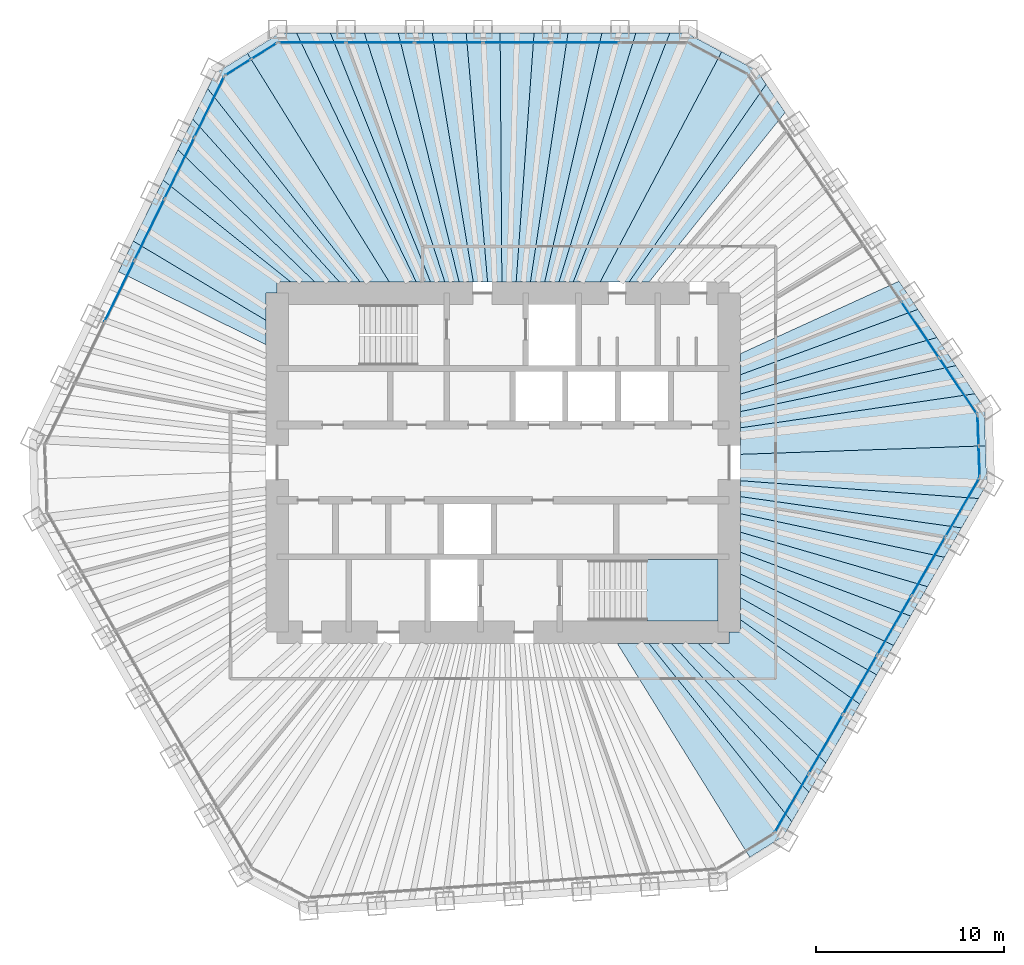
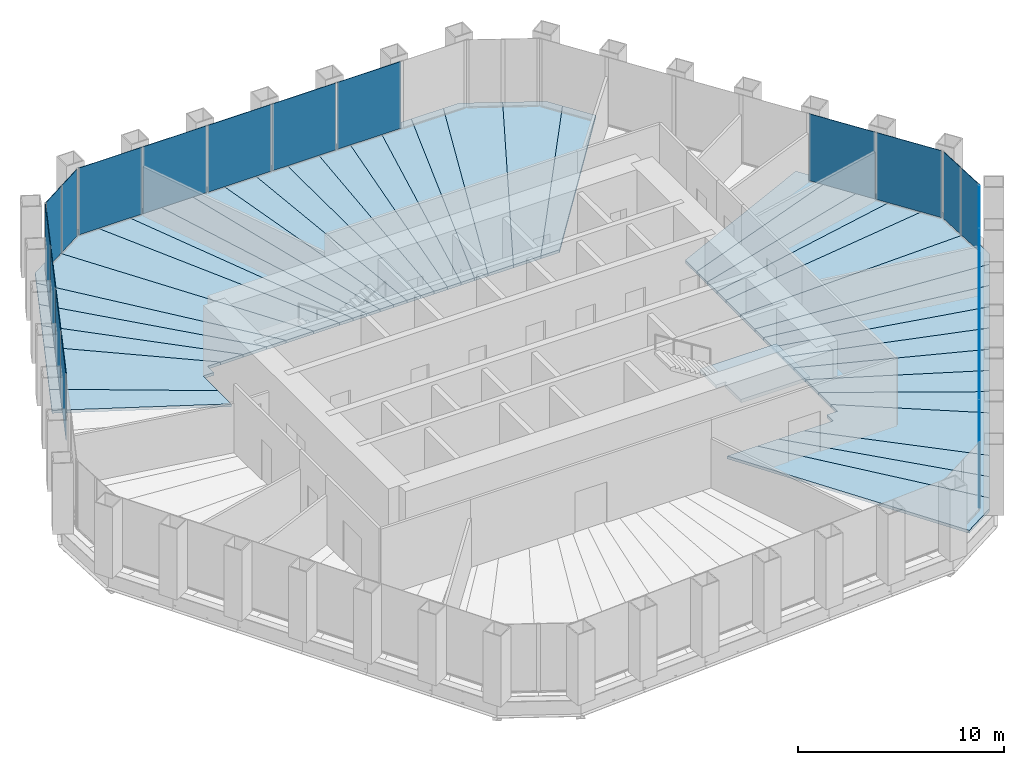
# One storey, part 9 of 13: 39 slabs, 21 plates, 7 elements without a shape of their own.
"""IFC4 building model written with IfcOpenShell, lengths in metres."""

import ifcopenshell
import ifcopenshell.guid

model = None  # the IFC model being written
_history = None  # IfcOwnerHistory: only IFC2X3 demands one
_inside = {}  # id of a spatial element -> (the spatial element, [elements in it])
_under = {}  # id of a project, library or spatial element -> (it, [spatial elements below it])
_declared = {}  # id of a project -> (the project, [libraries it declares])
_typed = {}  # id of a type object -> (the type object, [elements of that type])
_made_of = {}  # id of a material, layer set ... -> (it, [elements and type objects made of it])


def new_model(schema):
    """Start an empty IFC model of exactly this schema.

    Asked for "IFC4X3", IfcOpenShell would pick the latest addendum, in which some entities
    have other attributes; the version numbers below select the first issue.
    IFC2X3 requires an IfcOwnerHistory on every rooted entity: one is made here for all.
    """
    global model, _history
    if schema == "IFC4X3":
        model = ifcopenshell.file(schema_version=(4, 3, 0, 0))
    else:
        model = ifcopenshell.file(schema=schema)
    _inside.clear()
    _under.clear()
    _declared.clear()
    _typed.clear()
    _made_of.clear()
    _history = None
    if model.schema == "IFC2X3":
        org = make("IfcOrganization", Name="unknown")
        user = make(
            "IfcPersonAndOrganization",
            ThePerson=make("IfcPerson", FamilyName="unknown"),
            TheOrganization=org,
        )
        app = make(
            "IfcApplication",
            ApplicationDeveloper=org,
            Version="unknown",
            ApplicationFullName="unknown",
            ApplicationIdentifier="unknown",
        )
        _history = make(
            "IfcOwnerHistory",
            OwningUser=user,
            OwningApplication=app,
            ChangeAction="ADDED",
            CreationDate=0,
        )
    return model


def make(cls, **values):
    """One entity of the class cls with the attributes given. An attribute that is None is left unset."""
    return model.create_entity(
        cls, **{name: value for name, value in values.items() if value is not None}
    )


def rooted(cls, **values):
    """An entity with a GlobalId (a new one), such as an element, a storey or a relation."""
    return make(cls, GlobalId=ifcopenshell.guid.new(), OwnerHistory=_history, **values)


def si_unit(unit_type, name, prefix=None):
    """IfcSIUnit, for example si_unit("LENGTHUNIT", "METRE", prefix="MILLI")."""
    return make("IfcSIUnit", UnitType=unit_type, Prefix=prefix, Name=name)


def assignment(units):
    """IfcUnitAssignment: the units of a project."""
    return None if units is None else make("IfcUnitAssignment", Units=units)


def point(xyz):
    """IfcCartesianPoint."""
    return None if xyz is None else make("IfcCartesianPoint", Coordinates=xyz)


def direction(xyz):
    """IfcDirection."""
    return None if xyz is None else make("IfcDirection", DirectionRatios=xyz)


def frame(location, z_axis=None, x_axis=None):
    """IfcAxis2Placement3D, a coordinate frame: its origin and axes. An axis left out is left unset."""
    return make(
        "IfcAxis2Placement3D",
        Location=point(location),
        Axis=direction(z_axis),
        RefDirection=direction(x_axis),
    )


def frame_2d(location, x_axis=None):
    """IfcAxis2Placement2D, a coordinate frame in the plane: its origin and x axis."""
    return make(
        "IfcAxis2Placement2D", Location=point(location), RefDirection=direction(x_axis)
    )


def origin():
    """The frame at (0, 0, 0) with its axes left unset."""
    return frame((0.0, 0.0, 0.0))


def origin_2d():
    """The frame at (0, 0) in the plane with its x axis left unset."""
    return frame_2d((0.0, 0.0))


def place(relative_to, where):
    """IfcLocalPlacement: puts the frame where relative to a parent placement (None: the world)."""
    return make(
        "IfcLocalPlacement", PlacementRelTo=relative_to, RelativePlacement=where
    )


def context(
    kind, dimensions, precision=None, world=None, true_north=None, identifier=None
):
    """IfcGeometricRepresentationContext, for example the 3D "Model" context."""
    return make(
        "IfcGeometricRepresentationContext",
        ContextIdentifier=identifier,
        ContextType=kind,
        CoordinateSpaceDimension=dimensions,
        Precision=precision,
        WorldCoordinateSystem=world,
        TrueNorth=true_north,
    )


def subcontext(parent, identifier, kind, view, scale=None):
    """IfcGeometricRepresentationSubContext, for example "Body" below "Model"."""
    return make(
        "IfcGeometricRepresentationSubContext",
        ContextIdentifier=identifier,
        ContextType=kind,
        ParentContext=parent,
        TargetScale=scale,
        TargetView=view,
    )


def project(units=None, contexts=None):
    """IfcProject with its units and contexts."""
    return rooted(
        "IfcProject",
        Name="project",
        RepresentationContexts=contexts,
        UnitsInContext=assignment(units),
    )


def spatial(cls, under=None, at=None, **own):
    """A site, building, storey or space (cls), placed at a placement, below another one or the project."""
    s = rooted(cls, ObjectPlacement=at, **own)
    if under is not None:
        _under.setdefault(under.id(), (under, []))[1].append(s)
    return s


def polyline(points):
    """IfcPolyline through the points."""
    return make("IfcPolyline", Points=[point(p) for p in points])


def profile(cls, at=None, kind="AREA", **sizes):
    """A parametric profile (cls). Its sizes go by their IFC names, for example OverallWidth=200.0."""
    return make(cls, ProfileType=kind, Position=at, **sizes)


def rectangle(**sizes):
    """IfcRectangleProfileDef."""
    return profile("IfcRectangleProfileDef", **sizes)


def outline(outer, holes=None, kind="AREA"):
    """IfcArbitraryClosedProfileDef: a profile drawn as a closed curve; with holes, ...WithVoids."""
    if holes is None:
        return make("IfcArbitraryClosedProfileDef", ProfileType=kind, OuterCurve=outer)
    return make(
        "IfcArbitraryProfileDefWithVoids",
        ProfileType=kind,
        OuterCurve=outer,
        InnerCurves=holes,
    )


def extrude(swept, where, along, depth):
    """IfcExtrudedAreaSolid: the profile swept, set in the frame where, extruded along a direction by depth."""
    return make(
        "IfcExtrudedAreaSolid",
        SweptArea=swept,
        Position=where,
        ExtrudedDirection=direction(along),
        Depth=depth,
    )


def shape(context_of_items, identifier, shape_type, items):
    """IfcShapeRepresentation: the items that make up one representation, for example the "Body"."""
    return make(
        "IfcShapeRepresentation",
        ContextOfItems=context_of_items,
        RepresentationIdentifier=identifier,
        RepresentationType=shape_type,
        Items=items,
    )


def material(Name=None, Category=None):
    """IfcMaterial."""
    return make("IfcMaterial", Name=Name, Category=Category)


def layer(
    of_material, thickness, ventilated=None, Name=None, Category=None, Priority=None
):
    """IfcMaterialLayer: one layer of a wall or slab, of a material (None: an air gap)."""
    return make(
        "IfcMaterialLayer",
        Material=of_material,
        LayerThickness=thickness,
        IsVentilated=ventilated,
        Name=Name,
        Category=Category,
        Priority=Priority,
    )


def layer_set(layers, Name=None):
    """IfcMaterialLayerSet."""
    return make("IfcMaterialLayerSet", MaterialLayers=layers, LayerSetName=Name)


def made_of(thing, what):
    """Note that an element or type object is made of a material, layer set ...; save() writes the relation."""
    if what is not None:
        _made_of.setdefault(what.id(), (what, []))[1].append(thing)
    return thing


def type_object(cls, material=None, **own):
    """A type object (cls), such as IfcWallType, which elements share."""
    return made_of(rooted(cls, **own), material)


def element(
    cls,
    number,
    at=None,
    inside=None,
    cuts=None,
    type_object=None,
    material=None,
    context=None,
    identifier="Body",
    shape_type=None,
    held_by="IfcProductDefinitionShape",
    body=None,
    shapes=None,
    **own,
):
    """One element of the class cls, such as IfcWall. Its Tag is "e" and its number.

    at: its placement. inside: the storey or other place that contains it. cuts: it is an
    opening in that element (IfcRelVoidsElement). A single representation is given by context,
    identifier, shape_type and body (its items); several are given by shapes. held_by: the class
    of the entity that holds the representations. save() writes the other relations.
    """
    e = rooted(cls, Tag="e%d" % number, ObjectPlacement=at, **own)
    if body is not None:
        shapes = [shape(context, identifier, shape_type, body)]
    if shapes is not None:
        e.Representation = make(held_by, Representations=shapes)
    if inside is not None:
        _inside.setdefault(inside.id(), (inside, []))[1].append(e)
    if cuts is not None:
        rooted(
            "IfcRelVoidsElement", RelatingBuildingElement=cuts, RelatedOpeningElement=e
        )
    if type_object is not None:
        _typed.setdefault(type_object.id(), (type_object, []))[1].append(e)
    return made_of(e, material)


def aggregate(whole, parts):
    """IfcRelAggregates: a whole, such as a stair, and the parts it consists of."""
    return rooted("IfcRelAggregates", RelatingObject=whole, RelatedObjects=parts)


def save(model, path):
    """Write the relations noted so far, then the file.

    IfcRelAggregates (storeys below a building ...), IfcRelContainedInSpatialStructure (elements
    in a storey), IfcRelDefinesByType, IfcRelAssociatesMaterial and IfcRelDeclares: one each for
    every whole, place, type object, material and project.
    """
    for whole, parts in _under.values():
        aggregate(whole, parts)
    for where, things in _inside.values():
        rooted(
            "IfcRelContainedInSpatialStructure",
            RelatedElements=things,
            RelatingStructure=where,
        )
    for kind, things in _typed.values():
        rooted("IfcRelDefinesByType", RelatedObjects=things, RelatingType=kind)
    for what, things in _made_of.values():
        rooted("IfcRelAssociatesMaterial", RelatedObjects=things, RelatingMaterial=what)
    for by, libraries in _declared.values():
        rooted("IfcRelDeclares", RelatingContext=by, RelatedDefinitions=libraries)
    model.write(path)


model = new_model("IFC4")

# Units and contexts
model_context = context("Model", 3, precision=1e-05, world=origin(), true_north=direction((0.0, 1.0)))
body_context = subcontext(model_context, "Body", "Model", "MODEL_VIEW")
ifc_project = project(units=[si_unit("LENGTHUNIT", "METRE"), si_unit("AREAUNIT", "SQUARE_METRE"), si_unit("VOLUMEUNIT", "CUBIC_METRE"), si_unit("PLANEANGLEUNIT", "RADIAN"), si_unit("MASSUNIT", "GRAM", prefix="KILO")], contexts=[model_context])

# Site, building, storey
site_placement = place(None, origin())
site = spatial("IfcSite", under=ifc_project, at=site_placement, CompositionType="ELEMENT")
building_placement = place(site_placement, origin())
building = spatial("IfcBuilding", under=site, at=building_placement, Name="Qingtian Harvest Tower", CompositionType="ELEMENT")
storey_placement = place(building_placement, frame((0.0, 0.0, 247.60009765625)))
storey = spatial("IfcBuildingStorey", under=building, at=storey_placement, Name="L54", CompositionType="ELEMENT", Elevation=247.60009765625)

# Slabs
ifc_material_1 = material(Name="Concrete fc' 35 MPa", Category="concrete")
ifc_layer_1 = layer(ifc_material_1, 0.169921875)
ifc_layer_set_1 = layer_set([ifc_layer_1], Name="Composite floor slab FS17 170")
slab_type_1 = type_object("IfcSlabType", Name="Composite floor slab FS17 170", PredefinedType="FLOOR", material=ifc_layer_set_1)
slab_1_placement = place(storey_placement, frame((0.0, 0.0, -0.170166015625)))
element("IfcSlab", 1, at=slab_1_placement, inside=storey, type_object=slab_type_1, Name="Floor slab L54 panel D27", PredefinedType="FLOOR", context=body_context, shape_type="SweptSolid", body=[
    extrude(outline(polyline([(6.059326171875, -9.60009765625), (7.740966796875, -9.60009765625), (15.3271484375, -19.0625), (14.886962890625, -19.8251953125), (13.090576171875, -20.94775390625), (6.059326171875, -9.60009765625)])), origin(), (0.0, 0.0, 1.0), 0.170166015625),
])
slab_2_placement = place(storey_placement, frame((0.0, 0.0, -0.170166015625)))
element("IfcSlab", 2, at=slab_2_placement, inside=storey, type_object=slab_type_1, Name="Floor slab L54 panel D28", PredefinedType="FLOOR", context=body_context, shape_type="SweptSolid", body=[
    extrude(outline(polyline([(8.929443359375, -9.60009765625), (16.22802734375, -17.50244140625), (15.3271484375, -19.0625), (7.740966796875, -9.60009765625), (8.929443359375, -9.60009765625)])), origin(), (0.0, 0.0, 1.0), 0.170166015625),
])
slab_3_placement = place(storey_placement, frame((0.0, 0.0, -0.170166015625)))
element("IfcSlab", 3, at=slab_3_placement, inside=storey, type_object=slab_type_1, Name="Floor slab L54 panel D29", PredefinedType="FLOOR", context=body_context, shape_type="SweptSolid", body=[
    extrude(outline(polyline([(10.35205078125, -9.60009765625), (17.128662109375, -15.942138671875), (16.22802734375, -17.50244140625), (8.929443359375, -9.60009765625), (10.35205078125, -9.60009765625)])), origin(), (0.0, 0.0, 1.0), 0.170166015625),
])
slab_4_placement = place(storey_placement, frame((0.0, 0.0, -0.170166015625)))
element("IfcSlab", 4, at=slab_4_placement, inside=storey, type_object=slab_type_1, Name="Floor slab L54 panel D31", PredefinedType="FLOOR", context=body_context, shape_type="SweptSolid", body=[
    extrude(outline(polyline([(12.60009765625, -8.33984375), (18.931884765625, -12.819091796875), (17.128662109375, -15.942138671875), (10.35205078125, -9.60009765625), (12.0, -9.60009765625), (12.0, -9.0), (12.60009765625, -9.0), (12.60009765625, -8.33984375)])), origin(), (0.0, 0.0, 1.0), 0.170166015625),
])
slab_5_placement = place(storey_placement, frame((0.0, 0.0, -0.170166015625)))
element("IfcSlab", 5, at=slab_5_placement, inside=storey, type_object=slab_type_1, Name="Floor slab L54 panel D32", PredefinedType="FLOOR", context=body_context, shape_type="SweptSolid", body=[
    extrude(outline(polyline([(12.60009765625, -7.171142578125), (19.830322265625, -11.262939453125), (18.931884765625, -12.819091796875), (12.60009765625, -8.33984375), (12.60009765625, -7.171142578125)])), origin(), (0.0, 0.0, 1.0), 0.170166015625),
])
slab_6_placement = place(storey_placement, frame((0.0, 0.0, -0.170166015625)))
element("IfcSlab", 6, at=slab_6_placement, inside=storey, type_object=slab_type_1, Name="Floor slab L54 panel D33", PredefinedType="FLOOR", context=body_context, shape_type="SweptSolid", body=[
    extrude(outline(polyline([(12.60009765625, -5.91015625), (20.73095703125, -9.702880859375), (19.830322265625, -11.262939453125), (12.60009765625, -7.171142578125), (12.60009765625, -5.91015625)])), origin(), (0.0, 0.0, 1.0), 0.170166015625),
])
slab_7_placement = place(storey_placement, frame((0.0, 0.0, -0.170166015625)))
element("IfcSlab", 7, at=slab_7_placement, inside=storey, type_object=slab_type_1, Name="Floor slab L54 panel D34", PredefinedType="FLOOR", context=body_context, shape_type="SweptSolid", body=[
    extrude(outline(polyline([(12.60009765625, -4.75439453125), (21.6318359375, -8.142578125), (20.73095703125, -9.702880859375), (12.60009765625, -5.91015625), (12.60009765625, -4.75439453125)])), origin(), (0.0, 0.0, 1.0), 0.170166015625),
])
slab_8_placement = place(storey_placement, frame((0.0, 0.0, -0.170166015625)))
element("IfcSlab", 8, at=slab_8_placement, inside=storey, type_object=slab_type_1, Name="Floor slab L54 panel D35", PredefinedType="FLOOR", context=body_context, shape_type="SweptSolid", body=[
    extrude(outline(polyline([(12.60009765625, -3.691162109375), (22.532470703125, -6.58251953125), (21.6318359375, -8.142578125), (12.60009765625, -4.75439453125), (12.60009765625, -3.691162109375)])), origin(), (0.0, 0.0, 1.0), 0.170166015625),
])
slab_9_placement = place(storey_placement, frame((0.0, 0.0, -0.170166015625)))
element("IfcSlab", 9, at=slab_9_placement, inside=storey, type_object=slab_type_1, Name="Floor slab L54 panel D36", PredefinedType="FLOOR", context=body_context, shape_type="SweptSolid", body=[
    extrude(outline(polyline([(12.60009765625, -2.709716796875), (23.43310546875, -5.022705078125), (22.532470703125, -6.58251953125), (12.60009765625, -3.691162109375), (12.60009765625, -2.709716796875)])), origin(), (0.0, 0.0, 1.0), 0.170166015625),
])
slab_10_placement = place(storey_placement, frame((0.0, 0.0, -0.170166015625)))
element("IfcSlab", 10, at=slab_10_placement, inside=storey, type_object=slab_type_1, Name="Floor slab L54 panel D37", PredefinedType="FLOOR", context=body_context, shape_type="SweptSolid", body=[
    extrude(outline(polyline([(12.60009765625, -1.801025390625), (24.333740234375, -3.462646484375), (23.43310546875, -5.022705078125), (12.60009765625, -2.709716796875), (12.60009765625, -1.801025390625)])), origin(), (0.0, 0.0, 1.0), 0.170166015625),
])
slab_11_placement = place(storey_placement, frame((0.0, 0.0, -0.170166015625)))
element("IfcSlab", 11, at=slab_11_placement, inside=storey, type_object=slab_type_1, Name="Floor slab L54 panel D38", PredefinedType="FLOOR", context=body_context, shape_type="SweptSolid", body=[
    extrude(outline(polyline([(12.60009765625, -0.95703125), (25.234619140625, -1.902587890625), (24.333740234375, -3.462646484375), (12.60009765625, -1.801025390625), (12.60009765625, -0.95703125)])), origin(), (0.0, 0.0, 1.0), 0.170166015625),
])
slab_12_placement = place(storey_placement, frame((0.0, 0.0, -0.170166015625)))
element("IfcSlab", 12, at=slab_12_placement, inside=storey, type_object=slab_type_1, Name="Floor slab L54 panel D39", PredefinedType="FLOOR", context=body_context, shape_type="SweptSolid", body=[
    extrude(outline(polyline([(12.60009765625, -0.95703125), (12.60009765625, 0.442626953125), (25.603759765625, 0.89404296875), (25.6748046875, -1.139892578125), (25.234619140625, -1.902587890625), (12.60009765625, -0.95703125)])), origin(), (0.0, 0.0, 1.0), 0.170166015625),
])
slab_13_placement = place(storey_placement, frame((0.0, 0.0, -0.170166015625)))
element("IfcSlab", 13, at=slab_13_placement, inside=storey, type_object=slab_type_1, Name="Floor slab L54 panel D40", PredefinedType="FLOOR", context=body_context, shape_type="SweptSolid", body=[
    extrude(outline(polyline([(12.60009765625, 0.442626953125), (12.60009765625, 1.848876953125), (25.040283203125, 3.658203125), (25.53271484375, 2.92822265625), (25.603759765625, 0.89404296875), (12.60009765625, 0.442626953125)])), origin(), (0.0, 0.0, 1.0), 0.170166015625),
])
slab_14_placement = place(storey_placement, frame((0.0, 0.0, -0.170166015625)))
element("IfcSlab", 14, at=slab_14_placement, inside=storey, type_object=slab_type_1, Name="Floor slab L54 panel D41", PredefinedType="FLOOR", context=body_context, shape_type="SweptSolid", body=[
    extrude(outline(polyline([(12.60009765625, 2.710205078125), (24.032958984375, 5.151611328125), (25.040283203125, 3.658203125), (12.60009765625, 1.848876953125), (12.60009765625, 2.710205078125)])), origin(), (0.0, 0.0, 1.0), 0.170166015625),
])
slab_15_placement = place(storey_placement, frame((0.0, 0.0, -0.170166015625)))
element("IfcSlab", 15, at=slab_15_placement, inside=storey, type_object=slab_type_1, Name="Floor slab L54 panel D42", PredefinedType="FLOOR", context=body_context, shape_type="SweptSolid", body=[
    extrude(outline(polyline([(12.60009765625, 3.646728515625), (23.025634765625, 6.64501953125), (24.032958984375, 5.151611328125), (12.60009765625, 2.710205078125), (12.60009765625, 3.646728515625)])), origin(), (0.0, 0.0, 1.0), 0.170166015625),
])
slab_16_placement = place(storey_placement, frame((0.0, 0.0, -0.170166015625)))
element("IfcSlab", 16, at=slab_16_placement, inside=storey, type_object=slab_type_1, Name="Floor slab L54 panel D43", PredefinedType="FLOOR", context=body_context, shape_type="SweptSolid", body=[
    extrude(outline(polyline([(12.60009765625, 4.669189453125), (22.018310546875, 8.138427734375), (23.025634765625, 6.64501953125), (12.60009765625, 3.646728515625), (12.60009765625, 4.669189453125)])), origin(), (0.0, 0.0, 1.0), 0.170166015625),
])
slab_17_placement = place(storey_placement, frame((0.0, 0.0, -0.170166015625)))
element("IfcSlab", 17, at=slab_17_placement, inside=storey, type_object=slab_type_1, Name="Floor slab L54 panel D44", PredefinedType="FLOOR", context=body_context, shape_type="SweptSolid", body=[
    extrude(outline(polyline([(12.60009765625, 5.7900390625), (21.010986328125, 9.6318359375), (22.018310546875, 8.138427734375), (12.60009765625, 4.669189453125), (12.60009765625, 5.7900390625)])), origin(), (0.0, 0.0, 1.0), 0.170166015625),
])
slab_18_placement = place(storey_placement, frame((0.0, 0.0, -0.170166015625)))
element("IfcSlab", 18, at=slab_18_placement, inside=storey, type_object=slab_type_1, Name="Floor slab L54 panel D51", PredefinedType="FLOOR", context=body_context, shape_type="SweptSolid", body=[
    extrude(outline(polyline([(6.6904296875, 9.60009765625), (13.960205078125, 20.085205078125), (14.967529296875, 18.591796875), (7.751220703125, 9.60009765625), (6.6904296875, 9.60009765625)])), origin(), (0.0, 0.0, 1.0), 0.170166015625),
])
slab_19_placement = place(storey_placement, frame((0.0, 0.0, -0.170166015625)))
element("IfcSlab", 19, at=slab_19_placement, inside=storey, type_object=slab_type_1, Name="Floor slab L54 panel D52", PredefinedType="FLOOR", context=body_context, shape_type="SweptSolid", body=[
    extrude(outline(polyline([(6.6904296875, 9.60009765625), (5.15185546875, 9.60009765625), (11.59716796875, 21.809814453125), (13.4677734375, 20.8154296875), (13.960205078125, 20.085205078125), (6.6904296875, 9.60009765625)])), origin(), (0.0, 0.0, 1.0), 0.170166015625),
])
slab_20_placement = place(storey_placement, frame((0.0, 0.0, -0.170166015625)))
element("IfcSlab", 20, at=slab_20_placement, inside=storey, type_object=slab_type_1, Name="Floor slab L54 panel D53", PredefinedType="FLOOR", context=body_context, shape_type="SweptSolid", body=[
    extrude(outline(polyline([(3.7236328125, 9.60009765625), (8.84521484375, 22.804931640625), (9.7255859375, 22.804931640625), (11.59716796875, 21.809814453125), (5.15185546875, 9.60009765625), (3.7236328125, 9.60009765625)])), origin(), (0.0, 0.0, 1.0), 0.170166015625),
])
slab_21_placement = place(storey_placement, frame((0.0, 0.0, -0.170166015625)))
element("IfcSlab", 21, at=slab_21_placement, inside=storey, type_object=slab_type_1, Name="Floor slab L54 panel D54", PredefinedType="FLOOR", context=body_context, shape_type="SweptSolid", body=[
    extrude(outline(polyline([(2.96533203125, 9.60009765625), (7.0439453125, 22.804931640625), (8.84521484375, 22.804931640625), (3.7236328125, 9.60009765625), (2.96533203125, 9.60009765625)])), origin(), (0.0, 0.0, 1.0), 0.170166015625),
])
slab_22_placement = place(storey_placement, frame((0.0, 0.0, -0.170166015625)))
element("IfcSlab", 22, at=slab_22_placement, inside=storey, type_object=slab_type_1, Name="Floor slab L54 panel D55", PredefinedType="FLOOR", context=body_context, shape_type="SweptSolid", body=[
    extrude(outline(polyline([(2.206787109375, 9.60009765625), (5.242431640625, 22.804931640625), (7.0439453125, 22.804931640625), (2.96533203125, 9.60009765625), (2.206787109375, 9.60009765625)])), origin(), (0.0, 0.0, 1.0), 0.170166015625),
])
slab_23_placement = place(storey_placement, frame((0.0, 0.0, -0.170166015625)))
element("IfcSlab", 23, at=slab_23_placement, inside=storey, type_object=slab_type_1, Name="Floor slab L54 panel D56", PredefinedType="FLOOR", context=body_context, shape_type="SweptSolid", body=[
    extrude(outline(polyline([(1.448486328125, 9.60009765625), (3.441162109375, 22.804931640625), (5.242431640625, 22.804931640625), (2.206787109375, 9.60009765625), (1.448486328125, 9.60009765625)])), origin(), (0.0, 0.0, 1.0), 0.170166015625),
])
slab_24_placement = place(storey_placement, frame((0.0, 0.0, -0.170166015625)))
element("IfcSlab", 24, at=slab_24_placement, inside=storey, type_object=slab_type_1, Name="Floor slab L54 panel D57", PredefinedType="FLOOR", context=body_context, shape_type="SweptSolid", body=[
    extrude(outline(polyline([(0.690185546875, 9.60009765625), (1.639892578125, 22.804931640625), (3.441162109375, 22.804931640625), (1.448486328125, 9.60009765625), (0.690185546875, 9.60009765625)])), origin(), (0.0, 0.0, 1.0), 0.170166015625),
])
slab_25_placement = place(storey_placement, frame((0.0, 0.0, -0.170166015625)))
element("IfcSlab", 25, at=slab_25_placement, inside=storey, type_object=slab_type_1, Name="Floor slab L54 panel D58", PredefinedType="FLOOR", context=body_context, shape_type="SweptSolid", body=[
    extrude(outline(polyline([(-0.068115234375, 9.60009765625), (-0.16162109375, 22.804931640625), (1.639892578125, 22.804931640625), (0.690185546875, 9.60009765625), (-0.068115234375, 9.60009765625)])), origin(), (0.0, 0.0, 1.0), 0.170166015625),
])
slab_26_placement = place(storey_placement, frame((0.0, 0.0, -0.170166015625)))
element("IfcSlab", 26, at=slab_26_placement, inside=storey, type_object=slab_type_1, Name="Floor slab L54 panel D59", PredefinedType="FLOOR", context=body_context, shape_type="SweptSolid", body=[
    extrude(outline(polyline([(-0.826416015625, 9.60009765625), (-1.962890625, 22.804931640625), (-0.16162109375, 22.804931640625), (-0.068115234375, 9.60009765625), (-0.826416015625, 9.60009765625)])), origin(), (0.0, 0.0, 1.0), 0.170166015625),
])
slab_27_placement = place(storey_placement, frame((0.0, 0.0, -0.170166015625)))
element("IfcSlab", 27, at=slab_27_placement, inside=storey, type_object=slab_type_1, Name="Floor slab L54 panel D60", PredefinedType="FLOOR", context=body_context, shape_type="SweptSolid", body=[
    extrude(outline(polyline([(-1.584716796875, 9.60009765625), (-3.764404296875, 22.804931640625), (-1.962890625, 22.804931640625), (-0.826416015625, 9.60009765625), (-1.584716796875, 9.60009765625)])), origin(), (0.0, 0.0, 1.0), 0.170166015625),
])
slab_28_placement = place(storey_placement, frame((0.0, 0.0, -0.170166015625)))
element("IfcSlab", 28, at=slab_28_placement, inside=storey, type_object=slab_type_1, Name="Floor slab L54 panel D61", PredefinedType="FLOOR", context=body_context, shape_type="SweptSolid", body=[
    extrude(outline(polyline([(-2.343017578125, 9.60009765625), (-5.565673828125, 22.804931640625), (-3.764404296875, 22.804931640625), (-1.584716796875, 9.60009765625), (-2.343017578125, 9.60009765625)])), origin(), (0.0, 0.0, 1.0), 0.170166015625),
])
slab_29_placement = place(storey_placement, frame((0.0, 0.0, -0.170166015625)))
element("IfcSlab", 29, at=slab_29_placement, inside=storey, type_object=slab_type_1, Name="Floor slab L54 panel D62", PredefinedType="FLOOR", context=body_context, shape_type="SweptSolid", body=[
    extrude(outline(polyline([(-3.101318359375, 9.60009765625), (-7.366943359375, 22.804931640625), (-5.565673828125, 22.804931640625), (-2.343017578125, 9.60009765625), (-3.101318359375, 9.60009765625)])), origin(), (0.0, 0.0, 1.0), 0.170166015625),
])
slab_30_placement = place(storey_placement, frame((0.0, 0.0, -0.170166015625)))
element("IfcSlab", 30, at=slab_30_placement, inside=storey, type_object=slab_type_1, Name="Floor slab L54 panel D63", PredefinedType="FLOOR", context=body_context, shape_type="SweptSolid", body=[
    extrude(outline(polyline([(-3.859619140625, 9.60009765625), (-9.16845703125, 22.804931640625), (-7.366943359375, 22.804931640625), (-3.101318359375, 9.60009765625), (-3.859619140625, 9.60009765625)])), origin(), (0.0, 0.0, 1.0), 0.170166015625),
])
slab_31_placement = place(storey_placement, frame((0.0, 0.0, -0.170166015625)))
element("IfcSlab", 31, at=slab_31_placement, inside=storey, type_object=slab_type_1, Name="Floor slab L54 panel D64", PredefinedType="FLOOR", context=body_context, shape_type="SweptSolid", body=[
    extrude(outline(polyline([(-4.617919921875, 9.60009765625), (-10.9697265625, 22.804931640625), (-9.16845703125, 22.804931640625), (-3.859619140625, 9.60009765625), (-4.617919921875, 9.60009765625)])), origin(), (0.0, 0.0, 1.0), 0.170166015625),
])
slab_32_placement = place(storey_placement, frame((0.0, 0.0, -0.170166015625)))
element("IfcSlab", 32, at=slab_32_placement, inside=storey, type_object=slab_type_1, Name="Floor slab L54 panel D65", PredefinedType="FLOOR", context=body_context, shape_type="SweptSolid", body=[
    extrude(outline(polyline([(-4.617919921875, 9.60009765625), (-6.050537109375, 9.60009765625), (-13.57666015625, 21.72607421875), (-11.85009765625, 22.804931640625), (-10.9697265625, 22.804931640625), (-4.617919921875, 9.60009765625)])), origin(), (0.0, 0.0, 1.0), 0.170166015625),
])
slab_33_placement = place(storey_placement, frame((0.0, 0.0, -0.170166015625)))
element("IfcSlab", 33, at=slab_33_placement, inside=storey, type_object=slab_type_1, Name="Floor slab L54 panel D66", PredefinedType="FLOOR", context=body_context, shape_type="SweptSolid", body=[
    extrude(outline(polyline([(-6.050537109375, 9.60009765625), (-7.60498046875, 9.60009765625), (-15.688232421875, 19.8564453125), (-15.30224609375, 20.64794921875), (-13.57666015625, 21.72607421875), (-6.050537109375, 9.60009765625)])), origin(), (0.0, 0.0, 1.0), 0.170166015625),
])
slab_34_placement = place(storey_placement, frame((0.0, 0.0, -0.170166015625)))
element("IfcSlab", 34, at=slab_34_placement, inside=storey, type_object=slab_type_1, Name="Floor slab L54 panel D67", PredefinedType="FLOOR", context=body_context, shape_type="SweptSolid", body=[
    extrude(outline(polyline([(-8.699951171875, 9.60009765625), (-16.47802734375, 18.2373046875), (-15.688232421875, 19.8564453125), (-7.60498046875, 9.60009765625), (-8.699951171875, 9.60009765625)])), origin(), (0.0, 0.0, 1.0), 0.170166015625),
])
slab_35_placement = place(storey_placement, frame((0.0, 0.0, -0.170166015625)))
element("IfcSlab", 35, at=slab_35_placement, inside=storey, type_object=slab_type_1, Name="Floor slab L54 panel D68", PredefinedType="FLOOR", context=body_context, shape_type="SweptSolid", body=[
    extrude(outline(polyline([(-10.009765625, 9.60009765625), (-17.267822265625, 16.6181640625), (-16.47802734375, 18.2373046875), (-8.699951171875, 9.60009765625), (-10.009765625, 9.60009765625)])), origin(), (0.0, 0.0, 1.0), 0.170166015625),
])
slab_36_placement = place(storey_placement, frame((0.0, 0.0, -0.170166015625)))
element("IfcSlab", 36, at=slab_36_placement, inside=storey, type_object=slab_type_1, Name="Floor slab L54 panel D69", PredefinedType="FLOOR", context=body_context, shape_type="SweptSolid", body=[
    extrude(outline(polyline([(-11.28759765625, 9.60009765625), (-18.055419921875, 15.003173828125), (-17.267822265625, 16.6181640625), (-10.009765625, 9.60009765625), (-11.28759765625, 9.60009765625)])), origin(), (0.0, 0.0, 1.0), 0.170166015625),
])
slab_37_placement = place(storey_placement, frame((0.0, 0.0, -0.170166015625)))
element("IfcSlab", 37, at=slab_37_placement, inside=storey, type_object=slab_type_1, Name="Floor slab L54 panel D70", PredefinedType="FLOOR", context=body_context, shape_type="SweptSolid", body=[
    extrude(outline(polyline([(-12.0, 9.0), (-12.60009765625, 9.0), (-12.60009765625, 7.560302734375), (-19.636474609375, 11.761474609375), (-18.055419921875, 15.003173828125), (-11.28759765625, 9.60009765625), (-12.0, 9.60009765625), (-12.0, 9.0)])), origin(), (0.0, 0.0, 1.0), 0.170166015625),
])
slab_38_placement = place(storey_placement, frame((0.0, 0.0, -0.170166015625)))
element("IfcSlab", 38, at=slab_38_placement, inside=storey, type_object=slab_type_1, Name="Floor slab L54 panel D72", PredefinedType="FLOOR", context=body_context, shape_type="SweptSolid", body=[
    extrude(outline(polyline([(-12.60009765625, 6.268310546875), (-20.426025390625, 10.142578125), (-19.636474609375, 11.761474609375), (-12.60009765625, 7.560302734375), (-12.60009765625, 6.268310546875)])), origin(), (0.0, 0.0, 1.0), 0.170166015625),
])

# Curtain wall, plates
ifc_material_2 = material(Name="Bronze-anodised aluminium curtain wall", Category="aluminium")
curtain_wall_type = type_object("IfcCurtainWallType", Name="Curtain wall CW4 office", PredefinedType="USERDEFINED", material=ifc_material_2)
curtain_wall_1_placement = place(storey_placement, origin())
curtain_wall_1 = element("IfcCurtainWall", 39, at=curtain_wall_1_placement, inside=storey, type_object=curtain_wall_type, Name="Curtain wall CW4 L54 N0-5", ObjectType="RECESSED CURTAIN WALL", PredefinedType="USERDEFINED")
ifc_material_3 = material(Name="Bronze-tinted laminated insulating glass", Category="glass")
ifc_layer_2 = layer(ifc_material_3, 0.030029296875)
ifc_layer_set_2 = layer_set([ifc_layer_2], Name="Glazed panel CWP tinted IGU")
plate_type = type_object("IfcPlateType", Name="Glazed panel CWP tinted IGU", PredefinedType="CURTAIN_PANEL", material=ifc_layer_set_2)
plate_1_placement = place(storey_placement, frame((-10.138916015625, 22.300048828125, 0.06494140625), z_axis=(0.0, 0.0, 1.0), x_axis=(1.0, 0.0, 0.0)))
plate_1 = element("IfcPlate", 40, at=plate_1_placement, type_object=plate_type, Name="CW4 panel 1.1", PredefinedType="CURTAIN_PANEL", context=body_context, shape_type="SweptSolid", body=[
    extrude(rectangle(XDim=3.5361328125, YDim=0.030029296875, at=origin_2d()), origin(), (0.0, 0.0, 1.0), 3.965087890625),
])
plate_2_placement = place(storey_placement, frame((-6.521728515625, 22.300048828125, 0.06494140625), z_axis=(0.0, 0.0, 1.0), x_axis=(1.0, 0.0, 0.0)))
plate_2 = element("IfcPlate", 41, at=plate_2_placement, type_object=plate_type, Name="CW4 panel 2.1", PredefinedType="CURTAIN_PANEL", context=body_context, shape_type="SweptSolid", body=[
    extrude(rectangle(XDim=3.568603515625, YDim=0.030029296875, at=origin_2d()), origin(), (0.0, 0.0, 1.0), 3.965087890625),
])
plate_3_placement = place(storey_placement, frame((-2.88818359375, 22.300048828125, 0.06494140625), z_axis=(0.0, 0.0, 1.0), x_axis=(1.0, 0.0, 0.0)))
plate_3 = element("IfcPlate", 42, at=plate_3_placement, type_object=plate_type, Name="CW4 panel 3.1", PredefinedType="CURTAIN_PANEL", context=body_context, shape_type="SweptSolid", body=[
    extrude(rectangle(XDim=3.568603515625, YDim=0.030029296875, at=origin_2d()), origin(), (0.0, 0.0, 1.0), 3.965087890625),
])
plate_4_placement = place(storey_placement, frame((0.745361328125, 22.300048828125, 0.06494140625), z_axis=(0.0, 0.0, 1.0), x_axis=(1.0, 0.0, 0.0)))
plate_4 = element("IfcPlate", 43, at=plate_4_placement, type_object=plate_type, Name="CW4 panel 4.1", PredefinedType="CURTAIN_PANEL", context=body_context, shape_type="SweptSolid", body=[
    extrude(rectangle(XDim=3.568603515625, YDim=0.030029296875, at=origin_2d()), origin(), (0.0, 0.0, 1.0), 3.965087890625),
])
plate_5_placement = place(storey_placement, frame((4.37890625, 22.300048828125, 0.06494140625), z_axis=(0.0, 0.0, 1.0), x_axis=(1.0, 0.0, 0.0)))
plate_5 = element("IfcPlate", 44, at=plate_5_placement, type_object=plate_type, Name="CW4 panel 5.1", PredefinedType="CURTAIN_PANEL", context=body_context, shape_type="SweptSolid", body=[
    extrude(rectangle(XDim=3.568603515625, YDim=0.030029296875, at=origin_2d()), origin(), (0.0, 0.0, 1.0), 3.965087890625),
])
aggregate(curtain_wall_1, [plate_1, plate_2, plate_3, plate_4, plate_5])

curtain_wall_2_placement = place(storey_placement, origin())
curtain_wall_2 = element("IfcCurtainWall", 45, at=curtain_wall_2_placement, inside=storey, type_object=curtain_wall_type, Name="Curtain wall CW4 L54 NE0-5", ObjectType="RECESSED CURTAIN WALL", PredefinedType="USERDEFINED")
plate_6_placement = place(storey_placement, frame((22.134521484375, 7.063232421875, 0.06494140625), z_axis=(0.0, 0.0, 1.0), x_axis=(0.559192903471, -0.829037572555, 0.0)))
plate_6 = element("IfcPlate", 46, at=plate_6_placement, type_object=plate_type, Name="CW4 panel 5.1", PredefinedType="CURTAIN_PANEL", context=body_context, shape_type="SweptSolid", body=[
    extrude(rectangle(XDim=3.568603515625, YDim=0.030029296875, at=origin_2d()), origin(), (0.0, 0.0, 1.0), 3.965087890625),
])
plate_7_placement = place(storey_placement, frame((24.1572265625, 4.064453125, 0.06494140625), z_axis=(0.0, 0.0, 1.0), x_axis=(0.559192903471, -0.829037572555, 0.0)))
plate_7 = element("IfcPlate", 47, at=plate_7_placement, type_object=plate_type, Name="CW4 panel 6.1", PredefinedType="CURTAIN_PANEL", context=body_context, shape_type="SweptSolid", body=[
    extrude(rectangle(XDim=3.5361328125, YDim=0.030029296875, at=origin_2d()), origin(), (0.0, 0.0, 1.0), 3.965087890625),
])
aggregate(curtain_wall_2, [plate_6, plate_7])

curtain_wall_3_placement = place(storey_placement, origin())
curtain_wall_3 = element("IfcCurtainWall", 48, at=curtain_wall_3_placement, inside=storey, type_object=curtain_wall_type, Name="Curtain wall CW4 L54 NEC", ObjectType="RECESSED CURTAIN WALL", PredefinedType="USERDEFINED")
plate_8_placement = place(storey_placement, frame((25.2119140625, 1.69677734375, 0.06494140625), z_axis=(0.0, 0.0, 1.0), x_axis=(0.034899496703, -0.999390827019, 0.0)))
plate_8 = element("IfcPlate", 49, at=plate_8_placement, type_object=plate_type, Name="CW4 panel 1.1", PredefinedType="CURTAIN_PANEL", context=body_context, shape_type="SweptSolid", body=[
    extrude(rectangle(XDim=1.56689453125, YDim=0.030029296875, at=origin_2d()), origin(), (0.0, 0.0, 1.0), 3.965087890625),
])
plate_9_placement = place(storey_placement, frame((25.268798828125, 0.06591796875, 0.06494140625), z_axis=(0.0, 0.0, 1.0), x_axis=(0.034899496703, -0.999390827019, 0.0)))
plate_9 = element("IfcPlate", 50, at=plate_9_placement, type_object=plate_type, Name="CW4 panel 2.1", PredefinedType="CURTAIN_PANEL", context=body_context, shape_type="SweptSolid", body=[
    extrude(rectangle(XDim=1.56689453125, YDim=0.030029296875, at=origin_2d()), origin(), (0.0, 0.0, 1.0), 3.965087890625),
])
aggregate(curtain_wall_3, [plate_8, plate_9])

curtain_wall_4_placement = place(storey_placement, origin())
curtain_wall_4 = element("IfcCurtainWall", 51, at=curtain_wall_4_placement, inside=storey, type_object=curtain_wall_type, Name="Curtain wall CW4 L54 SE0-5", ObjectType="RECESSED CURTAIN WALL", PredefinedType="USERDEFINED")
plate_10_placement = place(storey_placement, frame((24.3818359375, -2.369384765625, 0.06494140625), z_axis=(0.0, 0.0, 1.0), x_axis=(-0.5, -0.866025403784, 0.0)))
plate_10 = element("IfcPlate", 52, at=plate_10_placement, type_object=plate_type, Name="CW4 panel 1.1", PredefinedType="CURTAIN_PANEL", context=body_context, shape_type="SweptSolid", body=[
    extrude(rectangle(XDim=3.5361328125, YDim=0.030029296875, at=origin_2d()), origin(), (0.0, 0.0, 1.0), 3.965087890625),
])
plate_11_placement = place(storey_placement, frame((22.5732421875, -5.501953125, 0.06494140625), z_axis=(0.0, 0.0, 1.0), x_axis=(-0.5, -0.866025403784, 0.0)))
plate_11 = element("IfcPlate", 53, at=plate_11_placement, type_object=plate_type, Name="CW4 panel 2.1", PredefinedType="CURTAIN_PANEL", context=body_context, shape_type="SweptSolid", body=[
    extrude(rectangle(XDim=3.568603515625, YDim=0.030029296875, at=origin_2d()), origin(), (0.0, 0.0, 1.0), 3.965087890625),
])
plate_12_placement = place(storey_placement, frame((20.75634765625, -8.64892578125, 0.06494140625), z_axis=(0.0, 0.0, 1.0), x_axis=(-0.5, -0.866025403784, 0.0)))
plate_12 = element("IfcPlate", 54, at=plate_12_placement, type_object=plate_type, Name="CW4 panel 3.1", PredefinedType="CURTAIN_PANEL", context=body_context, shape_type="SweptSolid", body=[
    extrude(rectangle(XDim=3.568603515625, YDim=0.030029296875, at=origin_2d()), origin(), (0.0, 0.0, 1.0), 3.965087890625),
])
plate_13_placement = place(storey_placement, frame((18.939697265625, -11.795654296875, 0.06494140625), z_axis=(0.0, 0.0, 1.0), x_axis=(-0.5, -0.866025403784, 0.0)))
plate_13 = element("IfcPlate", 55, at=plate_13_placement, type_object=plate_type, Name="CW4 panel 4.1", PredefinedType="CURTAIN_PANEL", context=body_context, shape_type="SweptSolid", body=[
    extrude(rectangle(XDim=3.568603515625, YDim=0.030029296875, at=origin_2d()), origin(), (0.0, 0.0, 1.0), 3.965087890625),
])
plate_14_placement = place(storey_placement, frame((17.122802734375, -14.9423828125, 0.06494140625), z_axis=(0.0, 0.0, 1.0), x_axis=(-0.5, -0.866025403784, 0.0)))
plate_14 = element("IfcPlate", 56, at=plate_14_placement, type_object=plate_type, Name="CW4 panel 5.1", PredefinedType="CURTAIN_PANEL", context=body_context, shape_type="SweptSolid", body=[
    extrude(rectangle(XDim=3.568603515625, YDim=0.030029296875, at=origin_2d()), origin(), (0.0, 0.0, 1.0), 3.965087890625),
])
plate_15_placement = place(storey_placement, frame((15.314208984375, -18.074951171875, 0.06494140625), z_axis=(0.0, 0.0, 1.0), x_axis=(-0.5, -0.866025403784, 0.0)))
plate_15 = element("IfcPlate", 57, at=plate_15_placement, type_object=plate_type, Name="CW4 panel 6.1", PredefinedType="CURTAIN_PANEL", context=body_context, shape_type="SweptSolid", body=[
    extrude(rectangle(XDim=3.5361328125, YDim=0.030029296875, at=origin_2d()), origin(), (0.0, 0.0, 1.0), 3.965087890625),
])
aggregate(curtain_wall_4, [plate_10, plate_11, plate_12, plate_13, plate_14, plate_15])

curtain_wall_5_placement = place(storey_placement, origin())
curtain_wall_5 = element("IfcCurtainWall", 58, at=curtain_wall_5_placement, inside=storey, type_object=curtain_wall_type, Name="Curtain wall CW4 L54 NW0-5", ObjectType="RECESSED CURTAIN WALL", PredefinedType="USERDEFINED")
plate_16_placement = place(storey_placement, frame((-20.369873046875, 9.105712890625, 0.06494140625), z_axis=(0.0, 0.0, 1.0), x_axis=(0.438371146789, 0.898794046299, 0.0)))
plate_16 = element("IfcPlate", 59, at=plate_16_placement, type_object=plate_type, Name="CW4 panel 3.1", PredefinedType="CURTAIN_PANEL", context=body_context, shape_type="SweptSolid", body=[
    extrude(rectangle(XDim=3.568603515625, YDim=0.030029296875, at=origin_2d()), origin(), (0.0, 0.0, 1.0), 3.965087890625),
])
plate_17_placement = place(storey_placement, frame((-18.777099609375, 12.37158203125, 0.06494140625), z_axis=(0.0, 0.0, 1.0), x_axis=(0.438371146789, 0.898794046299, 0.0)))
plate_17 = element("IfcPlate", 60, at=plate_17_placement, type_object=plate_type, Name="CW4 panel 4.1", PredefinedType="CURTAIN_PANEL", context=body_context, shape_type="SweptSolid", body=[
    extrude(rectangle(XDim=3.568603515625, YDim=0.030029296875, at=origin_2d()), origin(), (0.0, 0.0, 1.0), 3.965087890625),
])
plate_18_placement = place(storey_placement, frame((-17.18408203125, 15.63720703125, 0.06494140625), z_axis=(0.0, 0.0, 1.0), x_axis=(0.438371146789, 0.898794046299, 0.0)))
plate_18 = element("IfcPlate", 61, at=plate_18_placement, type_object=plate_type, Name="CW4 panel 5.1", PredefinedType="CURTAIN_PANEL", context=body_context, shape_type="SweptSolid", body=[
    extrude(rectangle(XDim=3.568603515625, YDim=0.030029296875, at=origin_2d()), origin(), (0.0, 0.0, 1.0), 3.965087890625),
])
plate_19_placement = place(storey_placement, frame((-15.598388671875, 18.888427734375, 0.06494140625), z_axis=(0.0, 0.0, 1.0), x_axis=(0.438371146789, 0.898794046299, 0.0)))
plate_19 = element("IfcPlate", 62, at=plate_19_placement, type_object=plate_type, Name="CW4 panel 6.1", PredefinedType="CURTAIN_PANEL", context=body_context, shape_type="SweptSolid", body=[
    extrude(rectangle(XDim=3.5361328125, YDim=0.030029296875, at=origin_2d()), origin(), (0.0, 0.0, 1.0), 3.965087890625),
])
aggregate(curtain_wall_5, [plate_16, plate_17, plate_18, plate_19])

curtain_wall_6_placement = place(storey_placement, origin())
curtain_wall_6 = element("IfcCurtainWall", 63, at=curtain_wall_6_placement, inside=storey, type_object=curtain_wall_type, Name="Curtain wall CW4 L54 NWC", ObjectType="RECESSED CURTAIN WALL", PredefinedType="USERDEFINED")
plate_20_placement = place(storey_placement, frame((-14.075439453125, 20.985595703125, 0.06494140625), z_axis=(0.0, 0.0, 1.0), x_axis=(0.848048096156, 0.529919264233, 0.0)))
plate_20 = element("IfcPlate", 64, at=plate_20_placement, type_object=plate_type, Name="CW4 panel 1.1", PredefinedType="CURTAIN_PANEL", context=body_context, shape_type="SweptSolid", body=[
    extrude(rectangle(XDim=1.56689453125, YDim=0.030029296875, at=origin_2d()), origin(), (0.0, 0.0, 1.0), 3.965087890625),
])
plate_21_placement = place(storey_placement, frame((-12.69140625, 21.850341796875, 0.06494140625), z_axis=(0.0, 0.0, 1.0), x_axis=(0.848048096156, 0.529919264233, 0.0)))
plate_21 = element("IfcPlate", 65, at=plate_21_placement, type_object=plate_type, Name="CW4 panel 2.1", PredefinedType="CURTAIN_PANEL", context=body_context, shape_type="SweptSolid", body=[
    extrude(rectangle(XDim=1.56689453125, YDim=0.030029296875, at=origin_2d()), origin(), (0.0, 0.0, 1.0), 3.965087890625),
])
aggregate(curtain_wall_6, [plate_20, plate_21])

# Stair, slab
ifc_material_4 = material(Name="Concrete fc' 35 MPa", Category="concrete")
stair_type = type_object("IfcStairType", Name="Special stair ST4 4200", PredefinedType="HALF_TURN_STAIR", material=ifc_material_4)
stair_placement = place(storey_placement, origin())
stair = element("IfcStair", 66, at=stair_placement, inside=storey, type_object=stair_type, Name="Special stair S2 L54", PredefinedType="HALF_TURN_STAIR")
ifc_material_5 = material(Name="Concrete fc' 35 MPa", Category="concrete")
ifc_layer_3 = layer(ifc_material_5, 0.199951171875)
ifc_layer_set_3 = layer_set([ifc_layer_3], Name="Stair landing SL2 200")
slab_type_2 = type_object("IfcSlabType", Name="Stair landing SL2 200", PredefinedType="LANDING", material=ifc_layer_set_3)
slab_39_placement = place(storey_placement, frame((0.0, 0.0, 1.89990234375)))
slab_39 = element("IfcSlab", 67, at=slab_39_placement, type_object=slab_type_2, Name="S2 landing 2", PredefinedType="LANDING", context=body_context, shape_type="SweptSolid", body=[
    extrude(outline(polyline([(7.530029296875, -8.39990234375), (7.530029296875, -6.824951171875), (7.6298828125, -6.824951171875), (7.6298828125, -6.72509765625), (7.094970703125, -6.72509765625), (7.094970703125, -5.14990234375), (11.39990234375, -5.14990234375), (11.39990234375, -8.39990234375), (7.530029296875, -8.39990234375)])), origin(), (0.0, 0.0, 1.0), 0.199951171875),
])
aggregate(stair, [slab_39])

save(model, "model.ifc")
